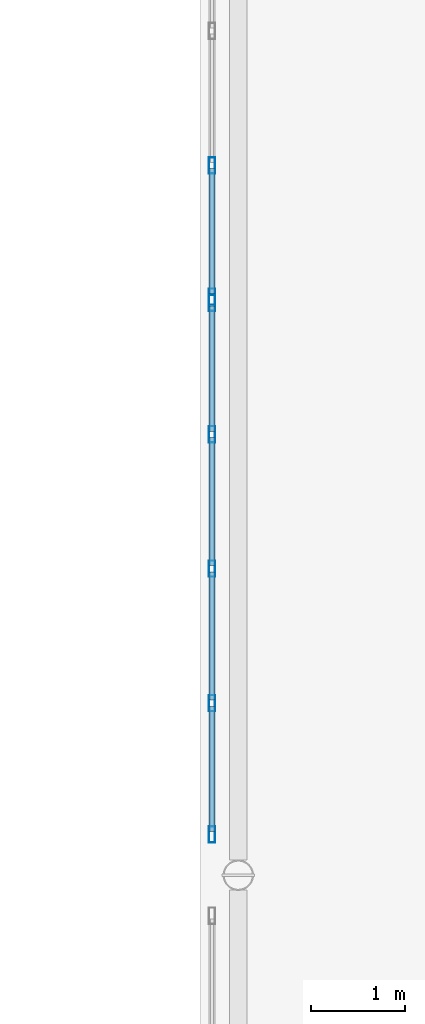
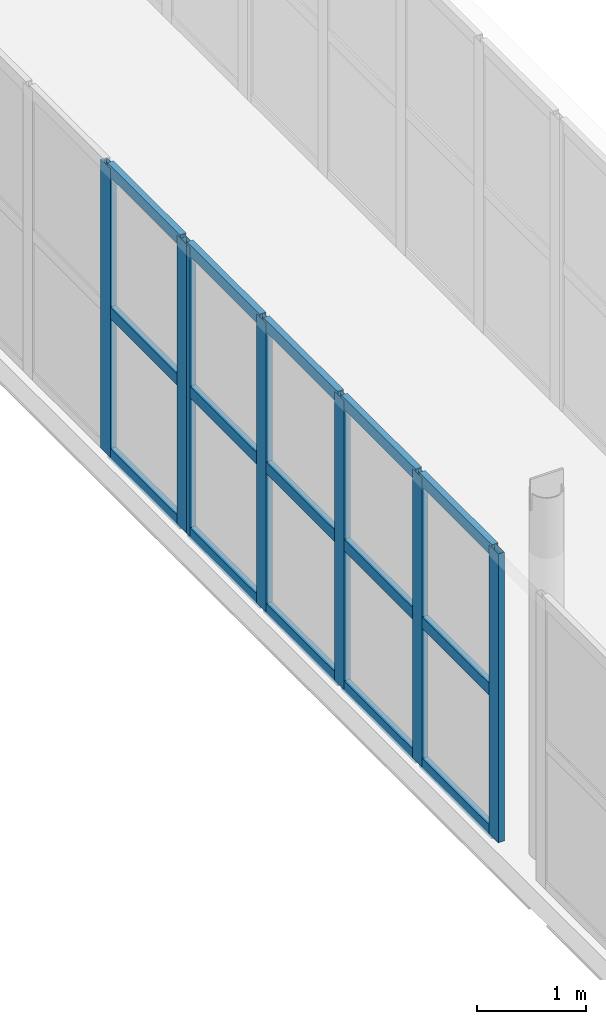
# One storey, part 16 of 52: 22 members, 2 elements without a shape of their own.
"""IFC4 building model written with IfcOpenShell, lengths in metres."""

from ifc_helpers import new_model, si_unit, direction, frame, origin, origin_2d, place, context, subcontext, project, spatial, hollow_rectangle, extrude, material, layer, layer_set, material_profile, profile_set, type_object, element, aggregate, save


model = new_model("IFC4")

# Units and contexts
model_context = context("Model", 3, precision=1e-05, world=origin(), true_north=direction((0.0, 1.0)))
body_context = subcontext(model_context, "Body", "Model", "MODEL_VIEW")
ifc_project = project(units=[si_unit("LENGTHUNIT", "METRE"), si_unit("AREAUNIT", "SQUARE_METRE"), si_unit("VOLUMEUNIT", "CUBIC_METRE"), si_unit("PLANEANGLEUNIT", "RADIAN"), si_unit("MASSUNIT", "GRAM", prefix="KILO")], contexts=[model_context])

# Site, building, storey
site_placement = place(None, origin())
site = spatial("IfcSite", under=ifc_project, at=site_placement, CompositionType="ELEMENT")
building_placement = place(site_placement, origin())
building = spatial("IfcBuilding", under=site, at=building_placement, Name="Valcora Specialist Clinic", CompositionType="ELEMENT")
storey_placement = place(building_placement, frame((0.0, 0.0, 17.679931640625)))
storey = spatial("IfcBuildingStorey", under=building, at=storey_placement, Name="L04", CompositionType="ELEMENT", Elevation=17.679931640625)

# Curtain wall, members
ifc_material = material(Name="Anodized Bronze Aluminium 6063-T6", Category="aluminium")
ifc_layer = layer(ifc_material, 0.175048828125)
ifc_layer_set = layer_set([ifc_layer], Name="Anodized Bronze Aluminium 6063-T6")
curtain_wall_type = type_object("IfcCurtainWallType", Name="TY-CW-BRG14", PredefinedType="NOTDEFINED", material=ifc_layer_set)
curtain_wall_1_placement = place(storey_placement, origin())
curtain_wall_1 = element("IfcCurtainWall", 1, at=curtain_wall_1_placement, inside=storey, type_object=curtain_wall_type, Name="Curtain wall CW-L04-270", PredefinedType="NOTDEFINED")
ifc_material_profile_1 = material_profile(ifc_material, hollow_rectangle(XDim=0.06494140625, YDim=0.175048828125, WallThickness=0.00390625, at=origin_2d()), Name="AL-MUL-65X175")
ifc_profile_set_1 = profile_set([ifc_material_profile_1], Name="Anodized Bronze Aluminium 6063-T6")
member_type_1 = type_object("IfcMemberType", Name="TY-CWM-65X175", PredefinedType="MULLION", material=ifc_profile_set_1)
member_1_placement = place(storey_placement, frame((61.320068359375, 38.4326171875, 0.0), z_axis=(0.0, 0.0, 1.0), x_axis=(-1.0, 0.0, 0.0)))
member_1 = element("IfcMember", 2, at=member_1_placement, type_object=member_type_1, Name="CW-BRG-14 mullion 1", PredefinedType="MULLION", context=body_context, shape_type="SweptSolid", body=[
    extrude(hollow_rectangle(XDim=0.06494140625, YDim=0.175048828125, WallThickness=0.00390625, at=origin_2d()), origin(), (0.0, 0.0, 1.0), 3.239990234375),
])
member_2_placement = place(storey_placement, frame((61.320068359375, 39.833251953125, 0.0), z_axis=(0.0, 0.0, 1.0), x_axis=(-1.0, 0.0, 0.0)))
member_2 = element("IfcMember", 3, at=member_2_placement, type_object=member_type_1, Name="CW-BRG-14 mullion 2", PredefinedType="MULLION", context=body_context, shape_type="SweptSolid", body=[
    extrude(hollow_rectangle(XDim=0.06494140625, YDim=0.175048828125, WallThickness=0.00390625, at=origin_2d()), origin(), (0.0, 0.0, 1.0), 3.239990234375),
])
member_3_placement = place(storey_placement, frame((61.320068359375, 41.2666015625, 0.0), z_axis=(0.0, 0.0, 1.0), x_axis=(-1.0, 0.0, 0.0)))
member_3 = element("IfcMember", 4, at=member_3_placement, type_object=member_type_1, Name="CW-BRG-14 mullion 3", PredefinedType="MULLION", context=body_context, shape_type="SweptSolid", body=[
    extrude(hollow_rectangle(XDim=0.06494140625, YDim=0.175048828125, WallThickness=0.00390625, at=origin_2d()), origin(), (0.0, 0.0, 1.0), 3.239990234375),
])
member_4_placement = place(storey_placement, frame((61.320068359375, 42.699951171875, 0.0), z_axis=(0.0, 0.0, 1.0), x_axis=(-1.0, 0.0, 0.0)))
member_4 = element("IfcMember", 5, at=member_4_placement, type_object=member_type_1, Name="CW-BRG-14 mullion 4", PredefinedType="MULLION", context=body_context, shape_type="SweptSolid", body=[
    extrude(hollow_rectangle(XDim=0.06494140625, YDim=0.175048828125, WallThickness=0.00390625, at=origin_2d()), origin(), (0.0, 0.0, 1.0), 3.239990234375),
])
member_5_placement = place(storey_placement, frame((61.320068359375, 44.100830078125, 0.0), z_axis=(0.0, 0.0, 1.0), x_axis=(-1.0, 0.0, 0.0)))
member_5 = element("IfcMember", 6, at=member_5_placement, type_object=member_type_1, Name="CW-BRG-14 mullion 5", PredefinedType="MULLION", context=body_context, shape_type="SweptSolid", body=[
    extrude(hollow_rectangle(XDim=0.06494140625, YDim=0.175048828125, WallThickness=0.00390625, at=origin_2d()), origin(), (0.0, 0.0, 1.0), 3.239990234375),
])

curtain_wall_2_placement = place(storey_placement, origin())
curtain_wall_2 = element("IfcCurtainWall", 7, at=curtain_wall_2_placement, inside=storey, type_object=curtain_wall_type, Name="Curtain wall CW-L04-271", PredefinedType="NOTDEFINED")
member_6_placement = place(storey_placement, frame((61.320068359375, 44.165771484375, 0.0), z_axis=(0.0, 0.0, 1.0), x_axis=(-1.0, 0.0, 0.0)))
member_6 = element("IfcMember", 8, at=member_6_placement, type_object=member_type_1, Name="CW-BRG-14 mullion 1", PredefinedType="MULLION", context=body_context, shape_type="SweptSolid", body=[
    extrude(hollow_rectangle(XDim=0.06494140625, YDim=0.175048828125, WallThickness=0.00390625, at=origin_2d()), origin(), (0.0, 0.0, 1.0), 3.239990234375),
])
member_7_placement = place(storey_placement, frame((61.320068359375, 45.566650390625, 0.0), z_axis=(0.0, 0.0, 1.0), x_axis=(-1.0, 0.0, 0.0)))
member_7 = element("IfcMember", 9, at=member_7_placement, type_object=member_type_1, Name="CW-BRG-14 mullion 2", PredefinedType="MULLION", context=body_context, shape_type="SweptSolid", body=[
    extrude(hollow_rectangle(XDim=0.06494140625, YDim=0.175048828125, WallThickness=0.00390625, at=origin_2d()), origin(), (0.0, 0.0, 1.0), 3.239990234375),
])

# Member
ifc_material_profile_2 = material_profile(ifc_material, hollow_rectangle(XDim=0.06494140625, YDim=0.1298828125, WallThickness=0.00390625, at=origin_2d()), Name="AL-TRN-65X130")
ifc_profile_set_2 = profile_set([ifc_material_profile_2], Name="Anodized Bronze Aluminium 6063-T6")
member_type_2 = type_object("IfcMemberType", Name="TY-CWT-65X130", PredefinedType="USERDEFINED", material=ifc_profile_set_2)
member_8_placement = place(storey_placement, frame((61.320068359375, 38.465087890625, 0.032470703125), z_axis=(0.0, 1.0, 0.0), x_axis=(-1.0, 0.0, 0.0)))
member_8 = element("IfcMember", 10, at=member_8_placement, type_object=member_type_2, Name="CW-BRG-14 transom 1.1", ObjectType="TRANSOM", PredefinedType="USERDEFINED", context=body_context, shape_type="SweptSolid", body=[
    extrude(hollow_rectangle(XDim=0.06494140625, YDim=0.1298828125, WallThickness=0.00390625, at=origin_2d()), origin(), (0.0, 0.0, 1.0), 1.335693359375),
])

member_9_placement = place(storey_placement, frame((61.320068359375, 38.465087890625, 1.6201171875), z_axis=(0.0, 1.0, 0.0), x_axis=(-1.0, 0.0, 0.0)))
member_9 = element("IfcMember", 11, at=member_9_placement, type_object=member_type_2, Name="CW-BRG-14 transom 1.2", ObjectType="TRANSOM", PredefinedType="USERDEFINED", context=body_context, shape_type="SweptSolid", body=[
    extrude(hollow_rectangle(XDim=0.06494140625, YDim=0.1298828125, WallThickness=0.00390625, at=origin_2d()), origin(), (0.0, 0.0, 1.0), 1.335693359375),
])

member_10_placement = place(storey_placement, frame((61.320068359375, 38.465087890625, 3.20751953125), z_axis=(0.0, 1.0, 0.0), x_axis=(-1.0, 0.0, 0.0)))
member_10 = element("IfcMember", 12, at=member_10_placement, type_object=member_type_2, Name="CW-BRG-14 transom 1.3", ObjectType="TRANSOM", PredefinedType="USERDEFINED", context=body_context, shape_type="SweptSolid", body=[
    extrude(hollow_rectangle(XDim=0.06494140625, YDim=0.1298828125, WallThickness=0.00390625, at=origin_2d()), origin(), (0.0, 0.0, 1.0), 1.335693359375),
])

member_11_placement = place(storey_placement, frame((61.320068359375, 39.86572265625, 0.032470703125), z_axis=(0.0, 1.0, 0.0), x_axis=(-1.0, 0.0, 0.0)))
member_11 = element("IfcMember", 13, at=member_11_placement, type_object=member_type_2, Name="CW-BRG-14 transom 2.1", ObjectType="TRANSOM", PredefinedType="USERDEFINED", context=body_context, shape_type="SweptSolid", body=[
    extrude(hollow_rectangle(XDim=0.06494140625, YDim=0.1298828125, WallThickness=0.00390625, at=origin_2d()), origin(), (0.0, 0.0, 1.0), 1.368408203125),
])

member_12_placement = place(storey_placement, frame((61.320068359375, 39.86572265625, 1.6201171875), z_axis=(0.0, 1.0, 0.0), x_axis=(-1.0, 0.0, 0.0)))
member_12 = element("IfcMember", 14, at=member_12_placement, type_object=member_type_2, Name="CW-BRG-14 transom 2.2", ObjectType="TRANSOM", PredefinedType="USERDEFINED", context=body_context, shape_type="SweptSolid", body=[
    extrude(hollow_rectangle(XDim=0.06494140625, YDim=0.1298828125, WallThickness=0.00390625, at=origin_2d()), origin(), (0.0, 0.0, 1.0), 1.368408203125),
])

member_13_placement = place(storey_placement, frame((61.320068359375, 39.86572265625, 3.20751953125), z_axis=(0.0, 1.0, 0.0), x_axis=(-1.0, 0.0, 0.0)))
member_13 = element("IfcMember", 15, at=member_13_placement, type_object=member_type_2, Name="CW-BRG-14 transom 2.3", ObjectType="TRANSOM", PredefinedType="USERDEFINED", context=body_context, shape_type="SweptSolid", body=[
    extrude(hollow_rectangle(XDim=0.06494140625, YDim=0.1298828125, WallThickness=0.00390625, at=origin_2d()), origin(), (0.0, 0.0, 1.0), 1.368408203125),
])

member_14_placement = place(storey_placement, frame((61.320068359375, 41.299072265625, 0.032470703125), z_axis=(0.0, 1.0, 0.0), x_axis=(-1.0, 0.0, 0.0)))
member_14 = element("IfcMember", 16, at=member_14_placement, type_object=member_type_2, Name="CW-BRG-14 transom 3.1", ObjectType="TRANSOM", PredefinedType="USERDEFINED", context=body_context, shape_type="SweptSolid", body=[
    extrude(hollow_rectangle(XDim=0.06494140625, YDim=0.1298828125, WallThickness=0.00390625, at=origin_2d()), origin(), (0.0, 0.0, 1.0), 1.368408203125),
])

member_15_placement = place(storey_placement, frame((61.320068359375, 41.299072265625, 1.6201171875), z_axis=(0.0, 1.0, 0.0), x_axis=(-1.0, 0.0, 0.0)))
member_15 = element("IfcMember", 17, at=member_15_placement, type_object=member_type_2, Name="CW-BRG-14 transom 3.2", ObjectType="TRANSOM", PredefinedType="USERDEFINED", context=body_context, shape_type="SweptSolid", body=[
    extrude(hollow_rectangle(XDim=0.06494140625, YDim=0.1298828125, WallThickness=0.00390625, at=origin_2d()), origin(), (0.0, 0.0, 1.0), 1.368408203125),
])

member_16_placement = place(storey_placement, frame((61.320068359375, 41.299072265625, 3.20751953125), z_axis=(0.0, 1.0, 0.0), x_axis=(-1.0, 0.0, 0.0)))
member_16 = element("IfcMember", 18, at=member_16_placement, type_object=member_type_2, Name="CW-BRG-14 transom 3.3", ObjectType="TRANSOM", PredefinedType="USERDEFINED", context=body_context, shape_type="SweptSolid", body=[
    extrude(hollow_rectangle(XDim=0.06494140625, YDim=0.1298828125, WallThickness=0.00390625, at=origin_2d()), origin(), (0.0, 0.0, 1.0), 1.368408203125),
])

member_17_placement = place(storey_placement, frame((61.320068359375, 42.732421875, 0.032470703125), z_axis=(0.0, 1.0, 0.0), x_axis=(-1.0, 0.0, 0.0)))
member_17 = element("IfcMember", 19, at=member_17_placement, type_object=member_type_2, Name="CW-BRG-14 transom 4.1", ObjectType="TRANSOM", PredefinedType="USERDEFINED", context=body_context, shape_type="SweptSolid", body=[
    extrude(hollow_rectangle(XDim=0.06494140625, YDim=0.1298828125, WallThickness=0.00390625, at=origin_2d()), origin(), (0.0, 0.0, 1.0), 1.3359375),
])

member_18_placement = place(storey_placement, frame((61.320068359375, 42.732421875, 1.6201171875), z_axis=(0.0, 1.0, 0.0), x_axis=(-1.0, 0.0, 0.0)))
member_18 = element("IfcMember", 20, at=member_18_placement, type_object=member_type_2, Name="CW-BRG-14 transom 4.2", ObjectType="TRANSOM", PredefinedType="USERDEFINED", context=body_context, shape_type="SweptSolid", body=[
    extrude(hollow_rectangle(XDim=0.06494140625, YDim=0.1298828125, WallThickness=0.00390625, at=origin_2d()), origin(), (0.0, 0.0, 1.0), 1.3359375),
])

member_19_placement = place(storey_placement, frame((61.320068359375, 42.732421875, 3.20751953125), z_axis=(0.0, 1.0, 0.0), x_axis=(-1.0, 0.0, 0.0)))
member_19 = element("IfcMember", 21, at=member_19_placement, type_object=member_type_2, Name="CW-BRG-14 transom 4.3", ObjectType="TRANSOM", PredefinedType="USERDEFINED", context=body_context, shape_type="SweptSolid", body=[
    extrude(hollow_rectangle(XDim=0.06494140625, YDim=0.1298828125, WallThickness=0.00390625, at=origin_2d()), origin(), (0.0, 0.0, 1.0), 1.3359375),
])

aggregate(curtain_wall_1, [member_1, member_2, member_3, member_4, member_5, member_8, member_9, member_10, member_11, member_12, member_13, member_14, member_15, member_16, member_17, member_18, member_19])

member_20_placement = place(storey_placement, frame((61.320068359375, 44.1982421875, 0.032470703125), z_axis=(0.0, 1.0, 0.0), x_axis=(-1.0, 0.0, 0.0)))
member_20 = element("IfcMember", 22, at=member_20_placement, type_object=member_type_2, Name="CW-BRG-14 transom 1.1", ObjectType="TRANSOM", PredefinedType="USERDEFINED", context=body_context, shape_type="SweptSolid", body=[
    extrude(hollow_rectangle(XDim=0.06494140625, YDim=0.1298828125, WallThickness=0.00390625, at=origin_2d()), origin(), (0.0, 0.0, 1.0), 1.3359375),
])

member_21_placement = place(storey_placement, frame((61.320068359375, 44.1982421875, 1.6201171875), z_axis=(0.0, 1.0, 0.0), x_axis=(-1.0, 0.0, 0.0)))
member_21 = element("IfcMember", 23, at=member_21_placement, type_object=member_type_2, Name="CW-BRG-14 transom 1.2", ObjectType="TRANSOM", PredefinedType="USERDEFINED", context=body_context, shape_type="SweptSolid", body=[
    extrude(hollow_rectangle(XDim=0.06494140625, YDim=0.1298828125, WallThickness=0.00390625, at=origin_2d()), origin(), (0.0, 0.0, 1.0), 1.3359375),
])

member_22_placement = place(storey_placement, frame((61.320068359375, 44.1982421875, 3.20751953125), z_axis=(0.0, 1.0, 0.0), x_axis=(-1.0, 0.0, 0.0)))
member_22 = element("IfcMember", 24, at=member_22_placement, type_object=member_type_2, Name="CW-BRG-14 transom 1.3", ObjectType="TRANSOM", PredefinedType="USERDEFINED", context=body_context, shape_type="SweptSolid", body=[
    extrude(hollow_rectangle(XDim=0.06494140625, YDim=0.1298828125, WallThickness=0.00390625, at=origin_2d()), origin(), (0.0, 0.0, 1.0), 1.3359375),
])

aggregate(curtain_wall_2, [member_6, member_7, member_20, member_21, member_22])

save(model, "model.ifc")
